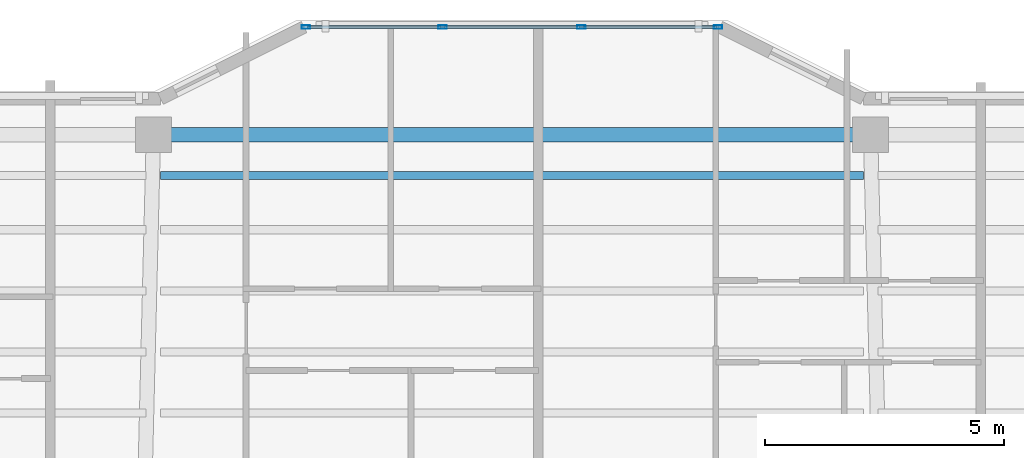
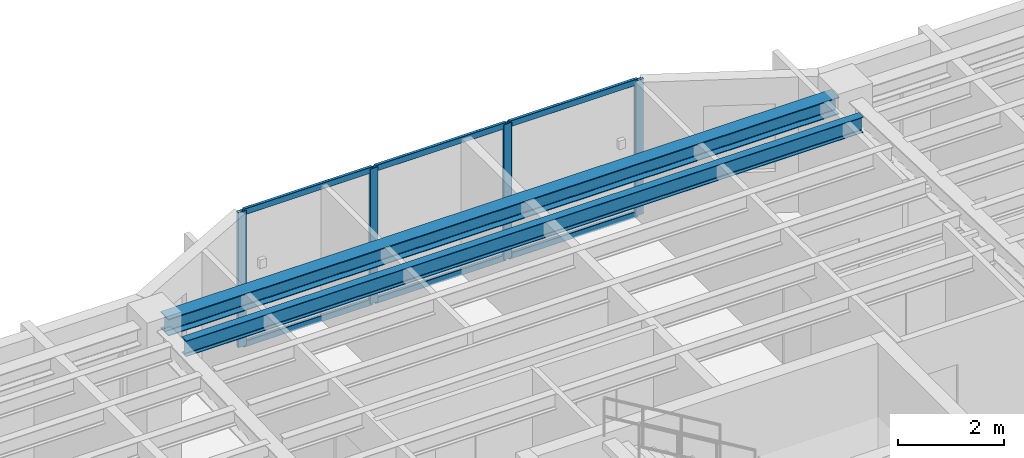
# One storey, part 2 of 12: 10 members, 2 beams, 1 element without a shape of its own.
"""IFC4 building model written with IfcOpenShell, lengths in metres."""

from ifc_helpers import new_model, si_unit, direction, frame, origin, origin_2d, place, context, subcontext, project, spatial, hollow_rectangle, i_section, extrude, material, layer, layer_set, material_profile, profile_set, type_object, element, aggregate, save


model = new_model("IFC4")

# Units and contexts
model_context = context("Model", 3, precision=1e-05, world=origin(), true_north=direction((0.0, 1.0)))
body_context = subcontext(model_context, "Body", "Model", "MODEL_VIEW")
ifc_project = project(units=[si_unit("LENGTHUNIT", "METRE"), si_unit("AREAUNIT", "SQUARE_METRE"), si_unit("VOLUMEUNIT", "CUBIC_METRE"), si_unit("PLANEANGLEUNIT", "RADIAN"), si_unit("MASSUNIT", "GRAM", prefix="KILO")], contexts=[model_context])

# Site, building, storey
site_placement = place(None, origin())
site = spatial("IfcSite", under=ifc_project, at=site_placement, CompositionType="ELEMENT")
building_placement = place(site_placement, origin())
building = spatial("IfcBuilding", under=site, at=building_placement, Name="Tarnavaz Court Tower", CompositionType="ELEMENT")
storey_placement = place(building_placement, frame((0.0, 0.0, 200.300048828125)))
storey = spatial("IfcBuildingStorey", under=building, at=storey_placement, Name="L54", CompositionType="ELEMENT", Elevation=200.300048828125)

# Beams
ifc_material_1 = material(Name="Steel S355", Category="steel")
ifc_material_profile_1 = material_profile(ifc_material_1, i_section(OverallWidth=0.169921875, OverallDepth=0.360107421875, WebThickness=0.008056640625, FlangeThickness=0.0126953125, FilletRadius=0.01806640625, at=origin_2d()), Name="IPE 360")
ifc_profile_set_1 = profile_set([ifc_material_profile_1], Name="Steel S355")
beam_type_1 = type_object("IfcBeamType", Name="BM-J-IPE360", PredefinedType="JOIST", material=ifc_profile_set_1)
beam_1_placement = place(storey_placement, frame((-7.35009765625, 19.248046875, 2.919921875), z_axis=(1.0, 0.0, 0.0), x_axis=(0.0, 1.0, 0.0)))
element("IfcBeam", 1, at=beam_1_placement, inside=storey, type_object=beam_type_1, Name="L54 Beam JN5-2", PredefinedType="JOIST", context=body_context, shape_type="SweptSolid", body=[
    extrude(i_section(OverallWidth=0.169921875, OverallDepth=0.360107421875, WebThickness=0.008056640625, FlangeThickness=0.0126953125, FilletRadius=0.01806640625, at=origin_2d()), origin(), (0.0, 0.0, 1.0), 14.7001953125),
])
ifc_material_profile_2 = material_profile(ifc_material_1, i_section(OverallWidth=0.300048828125, OverallDepth=0.389892578125, WebThickness=0.010986328125, FlangeThickness=0.01904296875, FilletRadius=0.027099609375, at=origin_2d()), Name="HEA 400")
ifc_profile_set_2 = profile_set([ifc_material_profile_2], Name="Steel S355")
beam_type_2 = type_object("IfcBeamType", Name="BM-SP-HEA400", PredefinedType="BEAM", material=ifc_profile_set_2)
beam_2_placement = place(storey_placement, frame((-7.280029296875, 20.10009765625, 2.905029296875), z_axis=(1.0, 0.0, 0.0), x_axis=(0.0, 1.0, 0.0)))
element("IfcBeam", 2, at=beam_2_placement, inside=storey, type_object=beam_type_2, Name="L54 Beam PR-PN-2-PN-3", PredefinedType="BEAM", context=body_context, shape_type="SweptSolid", body=[
    extrude(i_section(OverallWidth=0.300048828125, OverallDepth=0.389892578125, WebThickness=0.010986328125, FlangeThickness=0.01904296875, FilletRadius=0.027099609375, at=origin_2d()), origin(), (0.0, 0.0, 1.0), 14.56005859375),
])

# Curtain wall, members
ifc_material_2 = material(Name="Anodised Aluminium 6063-T6 and Solar Low-E Glazing", Category="aluminium")
ifc_layer = layer(ifc_material_2, 0.159912109375)
ifc_layer_set = layer_set([ifc_layer], Name="Anodised Aluminium 6063-T6 and Solar Low-E Glazing")
curtain_wall_type = type_object("IfcCurtainWallType", Name="CW-SYS-03", PredefinedType="NOTDEFINED", material=ifc_layer_set)
curtain_wall_placement = place(storey_placement, origin())
curtain_wall = element("IfcCurtainWall", 3, at=curtain_wall_placement, inside=storey, type_object=curtain_wall_type, Name="L54 Iwan Prow Curtain Wall 7", PredefinedType="NOTDEFINED")
ifc_material_3 = material(Name="Anodised Aluminium 6063-T6", Category="aluminium")
ifc_material_profile_3 = material_profile(ifc_material_3, hollow_rectangle(XDim=0.074951171875, YDim=0.179931640625, WallThickness=0.0048828125, InnerFilletRadius=0.0048828125, OuterFilletRadius=0.010009765625, at=origin_2d()), Name="ALU RHS 180X75X5")
ifc_profile_set_3 = profile_set([ifc_material_profile_3], Name="Anodised Aluminium 6063-T6")
member_type_1 = type_object("IfcMemberType", Name="CW-MUL-180", PredefinedType="MULLION", material=ifc_profile_set_3)
member_1_placement = place(storey_placement, frame((-4.3125, 22.35009765625, 0.0), z_axis=(0.0, 0.0, 1.0), x_axis=(0.0, 1.0, 0.0)))
member_1 = element("IfcMember", 4, at=member_1_placement, type_object=member_type_1, Name="CW mullion 1", PredefinedType="MULLION", context=body_context, shape_type="SweptSolid", body=[
    extrude(hollow_rectangle(XDim=0.074951171875, YDim=0.179931640625, WallThickness=0.0048828125, InnerFilletRadius=0.0048828125, OuterFilletRadius=0.010009765625, at=origin_2d()), origin(), (0.0, 0.0, 1.0), 3.099853515625),
])
member_2_placement = place(storey_placement, frame((-1.449951171875, 22.35009765625, 0.0), z_axis=(0.0, 0.0, 1.0), x_axis=(0.0, 1.0, 0.0)))
member_2 = element("IfcMember", 5, at=member_2_placement, type_object=member_type_1, Name="CW mullion 2", PredefinedType="MULLION", context=body_context, shape_type="SweptSolid", body=[
    extrude(hollow_rectangle(XDim=0.074951171875, YDim=0.179931640625, WallThickness=0.0048828125, InnerFilletRadius=0.0048828125, OuterFilletRadius=0.010009765625, at=origin_2d()), origin(), (0.0, 0.0, 1.0), 3.099853515625),
])
member_3_placement = place(storey_placement, frame((1.449951171875, 22.35009765625, 0.0), z_axis=(0.0, 0.0, 1.0), x_axis=(0.0, 1.0, 0.0)))
member_3 = element("IfcMember", 6, at=member_3_placement, type_object=member_type_1, Name="CW mullion 3", PredefinedType="MULLION", context=body_context, shape_type="SweptSolid", body=[
    extrude(hollow_rectangle(XDim=0.074951171875, YDim=0.179931640625, WallThickness=0.0048828125, InnerFilletRadius=0.0048828125, OuterFilletRadius=0.010009765625, at=origin_2d()), origin(), (0.0, 0.0, 1.0), 3.099853515625),
])
member_4_placement = place(storey_placement, frame((4.3125, 22.35009765625, 0.0), z_axis=(0.0, 0.0, 1.0), x_axis=(0.0, 1.0, 0.0)))
member_4 = element("IfcMember", 7, at=member_4_placement, type_object=member_type_1, Name="CW mullion 4", PredefinedType="MULLION", context=body_context, shape_type="SweptSolid", body=[
    extrude(hollow_rectangle(XDim=0.074951171875, YDim=0.179931640625, WallThickness=0.0048828125, InnerFilletRadius=0.0048828125, OuterFilletRadius=0.010009765625, at=origin_2d()), origin(), (0.0, 0.0, 1.0), 3.099853515625),
])
ifc_material_profile_4 = material_profile(ifc_material_3, hollow_rectangle(XDim=0.06494140625, YDim=0.139892578125, WallThickness=0.00390625, InnerFilletRadius=0.00390625, OuterFilletRadius=0.008056640625, at=origin_2d()), Name="ALU RHS 140X65X4")
ifc_profile_set_4 = profile_set([ifc_material_profile_4], Name="Anodised Aluminium 6063-T6")
member_type_2 = type_object("IfcMemberType", Name="CW-TRN-140", PredefinedType="USERDEFINED", material=ifc_profile_set_4)
member_5_placement = place(storey_placement, frame((-4.27490234375, 22.35009765625, 0.032470703125), z_axis=(1.0, 0.0, 0.0), x_axis=(0.0, 1.0, 0.0)))
member_5 = element("IfcMember", 8, at=member_5_placement, type_object=member_type_2, Name="CW transom 1.1", ObjectType="TRANSOM", PredefinedType="USERDEFINED", context=body_context, shape_type="SweptSolid", body=[
    extrude(hollow_rectangle(XDim=0.06494140625, YDim=0.139892578125, WallThickness=0.00390625, InnerFilletRadius=0.00390625, OuterFilletRadius=0.008056640625, at=origin_2d()), origin(), (0.0, 0.0, 1.0), 2.787353515625),
])
member_6_placement = place(storey_placement, frame((-4.27490234375, 22.35009765625, 3.0673828125), z_axis=(1.0, 0.0, 0.0), x_axis=(0.0, 1.0, 0.0)))
member_6 = element("IfcMember", 9, at=member_6_placement, type_object=member_type_2, Name="CW transom 1.2", ObjectType="TRANSOM", PredefinedType="USERDEFINED", context=body_context, shape_type="SweptSolid", body=[
    extrude(hollow_rectangle(XDim=0.06494140625, YDim=0.139892578125, WallThickness=0.00390625, InnerFilletRadius=0.00390625, OuterFilletRadius=0.008056640625, at=origin_2d()), origin(), (0.0, 0.0, 1.0), 2.787353515625),
])
member_7_placement = place(storey_placement, frame((-1.41259765625, 22.35009765625, 0.032470703125), z_axis=(1.0, 0.0, 0.0), x_axis=(0.0, 1.0, 0.0)))
member_7 = element("IfcMember", 10, at=member_7_placement, type_object=member_type_2, Name="CW transom 2.1", ObjectType="TRANSOM", PredefinedType="USERDEFINED", context=body_context, shape_type="SweptSolid", body=[
    extrude(hollow_rectangle(XDim=0.06494140625, YDim=0.139892578125, WallThickness=0.00390625, InnerFilletRadius=0.00390625, OuterFilletRadius=0.008056640625, at=origin_2d()), origin(), (0.0, 0.0, 1.0), 2.8251953125),
])
member_8_placement = place(storey_placement, frame((-1.41259765625, 22.35009765625, 3.0673828125), z_axis=(1.0, 0.0, 0.0), x_axis=(0.0, 1.0, 0.0)))
member_8 = element("IfcMember", 11, at=member_8_placement, type_object=member_type_2, Name="CW transom 2.2", ObjectType="TRANSOM", PredefinedType="USERDEFINED", context=body_context, shape_type="SweptSolid", body=[
    extrude(hollow_rectangle(XDim=0.06494140625, YDim=0.139892578125, WallThickness=0.00390625, InnerFilletRadius=0.00390625, OuterFilletRadius=0.008056640625, at=origin_2d()), origin(), (0.0, 0.0, 1.0), 2.8251953125),
])
member_9_placement = place(storey_placement, frame((1.487548828125, 22.35009765625, 0.032470703125), z_axis=(1.0, 0.0, 0.0), x_axis=(0.0, 1.0, 0.0)))
member_9 = element("IfcMember", 12, at=member_9_placement, type_object=member_type_2, Name="CW transom 3.1", ObjectType="TRANSOM", PredefinedType="USERDEFINED", context=body_context, shape_type="SweptSolid", body=[
    extrude(hollow_rectangle(XDim=0.06494140625, YDim=0.139892578125, WallThickness=0.00390625, InnerFilletRadius=0.00390625, OuterFilletRadius=0.008056640625, at=origin_2d()), origin(), (0.0, 0.0, 1.0), 2.787353515625),
])
member_10_placement = place(storey_placement, frame((1.487548828125, 22.35009765625, 3.0673828125), z_axis=(1.0, 0.0, 0.0), x_axis=(0.0, 1.0, 0.0)))
member_10 = element("IfcMember", 13, at=member_10_placement, type_object=member_type_2, Name="CW transom 3.2", ObjectType="TRANSOM", PredefinedType="USERDEFINED", context=body_context, shape_type="SweptSolid", body=[
    extrude(hollow_rectangle(XDim=0.06494140625, YDim=0.139892578125, WallThickness=0.00390625, InnerFilletRadius=0.00390625, OuterFilletRadius=0.008056640625, at=origin_2d()), origin(), (0.0, 0.0, 1.0), 2.787353515625),
])
aggregate(curtain_wall, [member_1, member_2, member_3, member_4, member_5, member_6, member_7, member_8, member_9, member_10])

save(model, "model.ifc")
